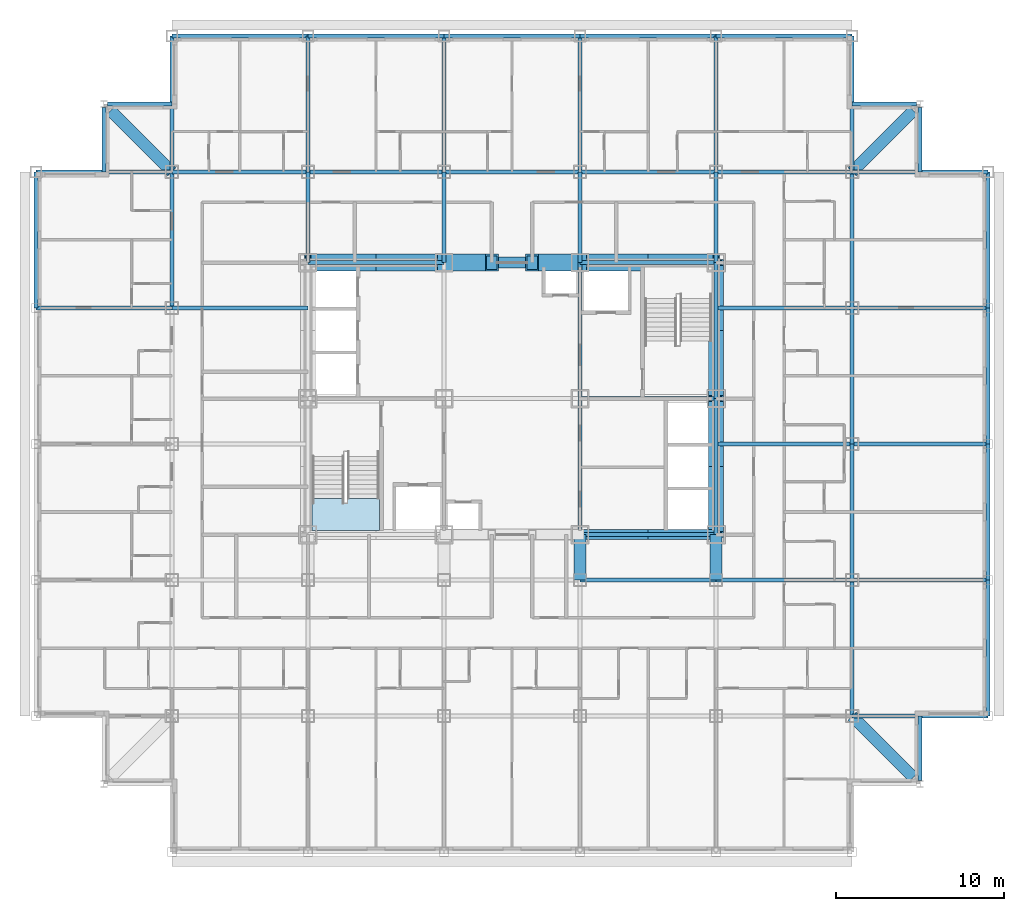
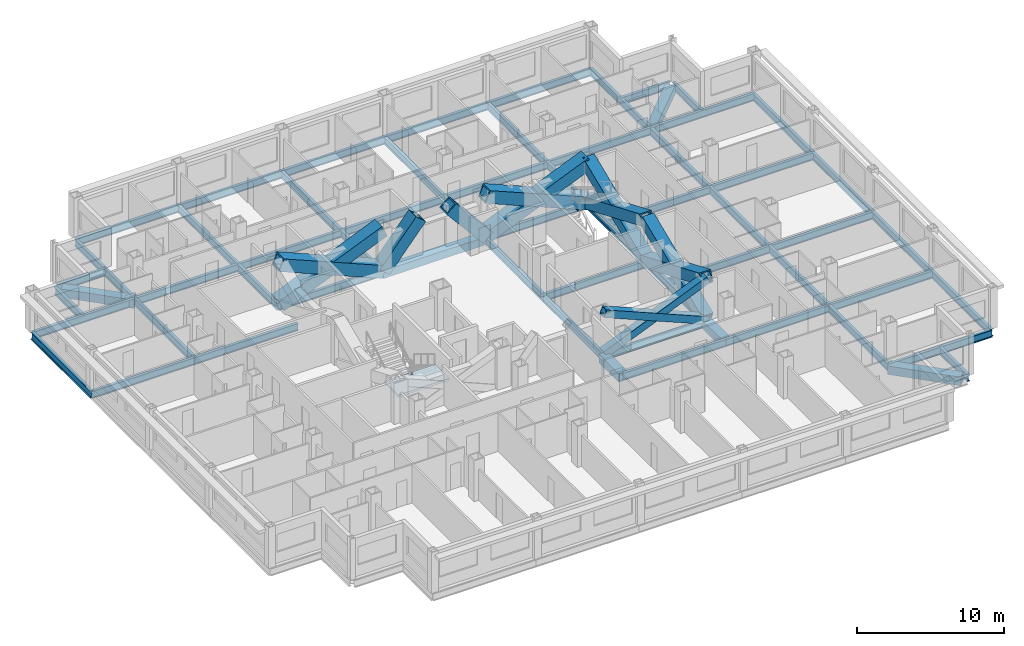
# One storey, part 2 of 13: 61 beams, 12 members, 1 slab, 1 element without a shape of its own.
"""IFC4 building model written with IfcOpenShell, lengths in metres."""

from ifc_helpers import new_model, si_unit, direction, frame, origin, origin_2d, place, context, subcontext, project, spatial, polyline, hollow_rectangle, i_section, outline, extrude, material, layer, layer_set, material_profile, profile_set, type_object, element, aggregate, save


model = new_model("IFC4")

# Units and contexts
model_context = context("Model", 3, precision=1e-05, world=origin(), true_north=direction((0.0, 1.0)))
body_context = subcontext(model_context, "Body", "Model", "MODEL_VIEW")
ifc_project = project(units=[si_unit("LENGTHUNIT", "METRE"), si_unit("AREAUNIT", "SQUARE_METRE"), si_unit("VOLUMEUNIT", "CUBIC_METRE"), si_unit("PLANEANGLEUNIT", "RADIAN"), si_unit("MASSUNIT", "GRAM", prefix="KILO")], contexts=[model_context])

# Site, building, storey
site_placement = place(None, origin())
site = spatial("IfcSite", under=ifc_project, at=site_placement, CompositionType="ELEMENT")
building_placement = place(site_placement, origin())
building = spatial("IfcBuilding", under=site, at=building_placement, Name="Kopane Lantern Tower", CompositionType="ELEMENT")
storey_placement = place(building_placement, frame((0.0, 0.0, 134.0)))
storey = spatial("IfcBuildingStorey", under=building, at=storey_placement, Name="L34", CompositionType="ELEMENT", Elevation=134.0)

# Members
ifc_material_1 = material(Name="Steel S355JR", Category="steel")
ifc_material_profile_1 = material_profile(ifc_material_1, hollow_rectangle(XDim=1.0, YDim=1.0, WallThickness=0.10009765625, at=origin_2d()), Name="BOX 1000x1000x100")
ifc_profile_set_1 = profile_set([ifc_material_profile_1], Name="Steel S355JR")
member_type_1 = type_object("IfcMemberType", Name="BRACE BOX 1000x1000x100", PredefinedType="BRACE", material=ifc_profile_set_1)
for number, where, z_axis, x_axis, name in (
    (1, (16.199951171875, 40.5, -0.2099609375), (0.922069000757, 0.0, 0.387025526088), (0.0, 1.0, 0.0), "Core brace L34"),
    (2, (24.300048828125, 40.5, -0.2099609375), (-0.922069000757, 0.0, 0.387025526088), (0.0, -1.0, 0.0), "Core brace L34"),
):
    element("IfcMember", number, at=place(storey_placement, frame(where, z_axis=z_axis, x_axis=x_axis)), inside=storey, type_object=member_type_1, Name=name, PredefinedType="BRACE", context=body_context, shape_type="SweptSolid", body=[
        extrude(hollow_rectangle(XDim=1.0, YDim=1.0, WallThickness=0.10009765625, at=origin_2d()), origin(), (0.0, 0.0, 1.0), 8.78466796875),
    ])
for number, where, z_axis, x_axis, name in (
    (3, (24.300048828125, 40.5, -0.2099609375), (0.642390257445, 0.0, 0.7663776857), (0.0, 1.0, 0.0), "Core brace L34"),
    (4, (32.39990234375, 40.5, -0.2099609375), (-0.642390257445, 0.0, 0.7663776857), (0.0, -1.0, 0.0), "Core brace L34"),
):
    element("IfcMember", number, at=place(storey_placement, frame(where, z_axis=z_axis, x_axis=x_axis)), inside=storey, type_object=member_type_1, Name=name, PredefinedType="BRACE", context=body_context, shape_type="SweptSolid", body=[
        extrude(hollow_rectangle(XDim=1.0, YDim=1.0, WallThickness=0.10009765625, at=origin_2d()), origin(), (0.0, 0.0, 1.0), 4.436279296875),
    ])
for number, where, z_axis, x_axis, name in (
    (5, (32.39990234375, 40.5, -0.2099609375), (0.922069000757, 0.0, 0.387025526088), (0.0, 1.0, 0.0), "Core brace L34"),
    (6, (40.5, 40.5, -0.2099609375), (-0.922069000757, 0.0, 0.387025526088), (0.0, -1.0, 0.0), "Core brace L34"),
):
    element("IfcMember", number, at=place(storey_placement, frame(where, z_axis=z_axis, x_axis=x_axis)), inside=storey, type_object=member_type_1, Name=name, PredefinedType="BRACE", context=body_context, shape_type="SweptSolid", body=[
        extrude(hollow_rectangle(XDim=1.0, YDim=1.0, WallThickness=0.10009765625, at=origin_2d()), origin(), (0.0, 0.0, 1.0), 8.78466796875),
    ])
ifc_material_2 = material(Name="Steel S355JR", Category="steel")
ifc_material_profile_2 = material_profile(ifc_material_2, hollow_rectangle(XDim=0.60009765625, YDim=0.60009765625, WallThickness=0.050048828125, at=origin_2d()), Name="BOX 600x600x50")
ifc_profile_set_2 = profile_set([ifc_material_profile_2], Name="Steel S355JR")
member_type_2 = type_object("IfcMemberType", Name="BRACE BOX 600x600x50", PredefinedType="BRACE", material=ifc_profile_set_2)
for number, where, z_axis, x_axis, name in (
    (7, (32.39990234375, 24.300048828125, -0.2099609375), (0.922069000757, 0.0, 0.387025526088), (0.0, 1.0, 0.0), "Core brace L34"),
    (8, (40.5, 24.300048828125, -0.2099609375), (-0.922069000757, 0.0, 0.387025526088), (0.0, -1.0, 0.0), "Core brace L34"),
):
    element("IfcMember", number, at=place(storey_placement, frame(where, z_axis=z_axis, x_axis=x_axis)), inside=storey, type_object=member_type_2, Name=name, PredefinedType="BRACE", context=body_context, shape_type="SweptSolid", body=[
        extrude(hollow_rectangle(XDim=0.60009765625, YDim=0.60009765625, WallThickness=0.050048828125, at=origin_2d()), origin(), (0.0, 0.0, 1.0), 8.78466796875),
    ])
ifc_material_3 = material(Name="Steel S355JR", Category="steel")
ifc_material_profile_3 = material_profile(ifc_material_3, hollow_rectangle(XDim=0.89990234375, YDim=0.89990234375, WallThickness=0.090087890625, at=origin_2d()), Name="BOX 900x900x90")
ifc_profile_set_3 = profile_set([ifc_material_profile_3], Name="Steel S355JR")
member_type_3 = type_object("IfcMemberType", Name="BRACE BOX 900x900x90", PredefinedType="BRACE", material=ifc_profile_set_3)
for number, where, z_axis, x_axis, name in (
    (9, (40.5, 24.300048828125, -0.2099609375), (0.0, 0.922064837731, 0.38703544414), (-1.0, 0.0, 0.0), "Core brace L34"),
    (10, (40.5, 32.39990234375, -0.2099609375), (0.0, -0.922064837731, 0.38703544414), (1.0, 0.0, 0.0), "Core brace L34"),
):
    element("IfcMember", number, at=place(storey_placement, frame(where, z_axis=z_axis, x_axis=x_axis)), inside=storey, type_object=member_type_3, Name=name, PredefinedType="BRACE", context=body_context, shape_type="SweptSolid", body=[
        extrude(hollow_rectangle(XDim=0.89990234375, YDim=0.89990234375, WallThickness=0.090087890625, at=origin_2d()), origin(), (0.0, 0.0, 1.0), 8.784423828125),
    ])
for number, where, z_axis, x_axis, name in (
    (11, (40.5, 32.39990234375, -0.2099609375), (0.0, 0.922069000757, 0.387025526088), (-1.0, 0.0, 0.0), "Core brace L34"),
    (12, (40.5, 40.5, -0.2099609375), (0.0, -0.922069000757, 0.387025526088), (1.0, 0.0, 0.0), "Core brace L34"),
):
    element("IfcMember", number, at=place(storey_placement, frame(where, z_axis=z_axis, x_axis=x_axis)), inside=storey, type_object=member_type_3, Name=name, PredefinedType="BRACE", context=body_context, shape_type="SweptSolid", body=[
        extrude(hollow_rectangle(XDim=0.89990234375, YDim=0.89990234375, WallThickness=0.090087890625, at=origin_2d()), origin(), (0.0, 0.0, 1.0), 8.78466796875),
    ])

# Beams
ifc_material_4 = material(Name="Steel S355JR", Category="steel")
ifc_material_profile_4 = material_profile(ifc_material_4, i_section(OverallWidth=0.22900390625, OverallDepth=0.6123046875, WebThickness=0.011962890625, FlangeThickness=0.01953125, FilletRadius=0.0126953125, at=origin_2d()), Name="UB 610x229x125")
ifc_profile_set_4 = profile_set([ifc_material_profile_4], Name="Steel S355JR")
beam_type_1 = type_object("IfcBeamType", Name="CORE BEAM UB 610x229x125", PredefinedType="BEAM", material=ifc_profile_set_4)
beam_1_placement = place(storey_placement, frame((32.39990234375, 24.300048828125, -0.51611328125), z_axis=(0.0, 1.0, 0.0), x_axis=(-1.0, 0.0, 0.0)))
element("IfcBeam", 13, at=beam_1_placement, inside=storey, type_object=beam_type_1, Name="Core Beam L34", PredefinedType="BEAM", context=body_context, shape_type="SweptSolid", body=[
    extrude(i_section(OverallWidth=0.22900390625, OverallDepth=0.6123046875, WebThickness=0.011962890625, FlangeThickness=0.01953125, FilletRadius=0.0126953125, at=origin_2d()), origin(), (0.0, 0.0, 1.0), 8.099853515625),
])
for number, where, z_axis, x_axis, name in (
    (14, (32.39990234375, 32.39990234375, -0.51611328125), (0.0, 1.0, 0.0), (-1.0, 0.0, 0.0), "Core Beam L34"),
    (15, (32.39990234375, 32.39990234375, -0.51611328125), (1.0, 0.0, 0.0), (0.0, 1.0, 0.0), "Core Beam L34"),
):
    element("IfcBeam", number, at=place(storey_placement, frame(where, z_axis=z_axis, x_axis=x_axis)), inside=storey, type_object=beam_type_1, Name=name, PredefinedType="BEAM", context=body_context, shape_type="SweptSolid", body=[
        extrude(i_section(OverallWidth=0.22900390625, OverallDepth=0.6123046875, WebThickness=0.011962890625, FlangeThickness=0.01953125, FilletRadius=0.0126953125, at=origin_2d()), origin(), (0.0, 0.0, 1.0), 8.10009765625),
    ])
ifc_material_5 = material(Name="Steel S355JR", Category="steel")
ifc_material_profile_5 = material_profile(ifc_material_5, hollow_rectangle(XDim=0.699951171875, YDim=0.699951171875, WallThickness=0.06005859375, at=origin_2d()), Name="BOX 700x700x60")
ifc_profile_set_5 = profile_set([ifc_material_profile_5], Name="Steel S355JR")
beam_type_2 = type_object("IfcBeamType", Name="CORNER TIE BEAM BOX 700x700x60", PredefinedType="BEAM", material=ifc_profile_set_5)
beam_2_placement = place(storey_placement, frame((4.447509765625, 49.552490234375, -0.56005859375), z_axis=(0.707106781187, -0.707106781187, 0.0), x_axis=(0.707106781187, 0.707106781187, 0.0)))
element("IfcBeam", 16, at=beam_2_placement, inside=storey, type_object=beam_type_2, Name="Corner Tie Beam L34", PredefinedType="BEAM", context=body_context, shape_type="SweptSolid", body=[
    extrude(hollow_rectangle(XDim=0.699951171875, YDim=0.699951171875, WallThickness=0.06005859375, at=origin_2d()), origin(), (0.0, 0.0, 1.0), 5.16552734375),
])
for number, where, z_axis, x_axis, name in (
    (17, (52.25244140625, 9.847412109375, -0.56005859375), (-0.707083148333, 0.70713041325, 0.0), (-0.70713041325, -0.707083148333, 0.0), "Corner Tie Beam L34"),
    (18, (52.25244140625, 49.552490234375, -0.56005859375), (-0.707083148333, -0.70713041325, 0.0), (0.70713041325, -0.707083148333, 0.0), "Corner Tie Beam L34"),
):
    element("IfcBeam", number, at=place(storey_placement, frame(where, z_axis=z_axis, x_axis=x_axis)), inside=storey, type_object=beam_type_2, Name=name, PredefinedType="BEAM", context=body_context, shape_type="SweptSolid", body=[
        extrude(hollow_rectangle(XDim=0.699951171875, YDim=0.699951171875, WallThickness=0.06005859375, at=origin_2d()), origin(), (0.0, 0.0, 1.0), 5.165283203125),
    ])
ifc_material_6 = material(Name="Steel S355JR", Category="steel")
ifc_material_profile_6 = material_profile(ifc_material_6, i_section(OverallWidth=0.22900390625, OverallDepth=0.6123046875, WebThickness=0.011962890625, FlangeThickness=0.01953125, FilletRadius=0.0126953125, at=origin_2d()), Name="UB 610x229x125")
ifc_profile_set_6 = profile_set([ifc_material_profile_6], Name="Steel S355JR")
beam_type_3 = type_object("IfcBeamType", Name="EDGE BEAM UB 610x229x125", PredefinedType="BEAM", material=ifc_profile_set_6)
for number, where, z_axis, x_axis, name in (
    (19, (4.050048828125, 49.74658203125, -0.51611328125), (0.0, -1.0, 0.0), (1.0, 0.0, 0.0), "Edge Beam L34"),
    (20, (4.25341796875, 49.949951171875, -0.51611328125), (1.0, 0.0, 0.0), (0.0, 1.0, 0.0), "Edge Beam L34"),
):
    element("IfcBeam", number, at=place(storey_placement, frame(where, z_axis=z_axis, x_axis=x_axis)), inside=storey, type_object=beam_type_3, Name=name, PredefinedType="BEAM", context=body_context, shape_type="SweptSolid", body=[
        extrude(i_section(OverallWidth=0.22900390625, OverallDepth=0.6123046875, WebThickness=0.011962890625, FlangeThickness=0.01953125, FilletRadius=0.0126953125, at=origin_2d()), origin(), (0.0, 0.0, 1.0), 3.8466796875),
    ])
for number, where, z_axis, x_axis, name in (
    (21, (52.446533203125, 49.949951171875, -0.51611328125), (-1.0, 0.0, 0.0), (0.0, -1.0, 0.0), "Edge Beam L34"),
    (22, (52.64990234375, 9.653564453125, -0.51611328125), (0.0, 1.0, 0.0), (-1.0, 0.0, 0.0), "Edge Beam L34"),
):
    element("IfcBeam", number, at=place(storey_placement, frame(where, z_axis=z_axis, x_axis=x_axis)), inside=storey, type_object=beam_type_3, Name=name, PredefinedType="BEAM", context=body_context, shape_type="SweptSolid", body=[
        extrude(i_section(OverallWidth=0.22900390625, OverallDepth=0.6123046875, WebThickness=0.011962890625, FlangeThickness=0.01953125, FilletRadius=0.0126953125, at=origin_2d()), origin(), (0.0, 0.0, 1.0), 3.846435546875),
    ])
beam_3_placement = place(storey_placement, frame((52.64990234375, 49.74658203125, -0.51611328125), z_axis=(0.0, -1.0, 0.0), x_axis=(1.0, 0.0, 0.0)))
element("IfcBeam", 23, at=beam_3_placement, inside=storey, type_object=beam_type_3, Name="Edge Beam L34", PredefinedType="BEAM", context=body_context, shape_type="SweptSolid", body=[
    extrude(i_section(OverallWidth=0.22900390625, OverallDepth=0.6123046875, WebThickness=0.011962890625, FlangeThickness=0.01953125, FilletRadius=0.0126953125, at=origin_2d()), origin(), (0.0, 0.0, 1.0), 3.8466796875),
])
ifc_material_7 = material(Name="Steel S355JR", Category="steel")
ifc_material_profile_7 = material_profile(ifc_material_7, hollow_rectangle(XDim=0.699951171875, YDim=0.699951171875, WallThickness=0.06005859375, at=origin_2d()), Name="BOX 700x700x60")
ifc_profile_set_7 = profile_set([ifc_material_profile_7], Name="Steel S355JR")
beam_type_4 = type_object("IfcBeamType", Name="GIRDER BOX 700x700x60", PredefinedType="BEAM", material=ifc_profile_set_7)
for number, where, z_axis, x_axis, name in (
    (24, (32.39990234375, 21.60009765625, -0.56005859375), (0.0, 1.0, 0.0), (-1.0, 0.0, 0.0), "Girder L34"),
    (25, (40.5, 21.60009765625, -0.56005859375), (0.0, 1.0, 0.0), (-1.0, 0.0, 0.0), "Girder L34"),
):
    element("IfcBeam", number, at=place(storey_placement, frame(where, z_axis=z_axis, x_axis=x_axis)), inside=storey, type_object=beam_type_4, Name=name, PredefinedType="BEAM", context=body_context, shape_type="SweptSolid", body=[
        extrude(hollow_rectangle(XDim=0.699951171875, YDim=0.699951171875, WallThickness=0.06005859375, at=origin_2d()), origin(), (0.0, 0.0, 1.0), 2.699951171875),
    ])
ifc_material_8 = material(Name="Steel S355JR", Category="steel")
ifc_material_profile_8 = material_profile(ifc_material_8, i_section(OverallWidth=0.22900390625, OverallDepth=0.6123046875, WebThickness=0.011962890625, FlangeThickness=0.01953125, FilletRadius=0.0126953125, at=origin_2d()), Name="UB 610x229x125")
ifc_profile_set_8 = profile_set([ifc_material_profile_8], Name="Steel S355JR")
beam_type_5 = type_object("IfcBeamType", Name="GIRDER UB 610x229x125", PredefinedType="BEAM", material=ifc_profile_set_8)
beam_4_placement = place(storey_placement, frame((0.0, 37.800048828125, -0.51611328125), z_axis=(0.0, 1.0, 0.0), x_axis=(-1.0, 0.0, 0.0)))
element("IfcBeam", 26, at=beam_4_placement, inside=storey, type_object=beam_type_5, Name="Girder L34", PredefinedType="BEAM", context=body_context, shape_type="SweptSolid", body=[
    extrude(i_section(OverallWidth=0.22900390625, OverallDepth=0.6123046875, WebThickness=0.011962890625, FlangeThickness=0.01953125, FilletRadius=0.0126953125, at=origin_2d()), origin(), (0.0, 0.0, 1.0), 8.099853515625),
])
for number, where, z_axis, x_axis, name in (
    (27, (0.0, 37.800048828125, -0.51611328125), (1.0, 0.0, 0.0), (0.0, 1.0, 0.0), "Girder L34"),
    (28, (0.0, 45.89990234375, -0.51611328125), (1.0, 0.0, 0.0), (0.0, 1.0, 0.0), "Girder L34"),
):
    element("IfcBeam", number, at=place(storey_placement, frame(where, z_axis=z_axis, x_axis=x_axis)), inside=storey, type_object=beam_type_5, Name=name, PredefinedType="BEAM", context=body_context, shape_type="SweptSolid", body=[
        extrude(i_section(OverallWidth=0.22900390625, OverallDepth=0.6123046875, WebThickness=0.011962890625, FlangeThickness=0.01953125, FilletRadius=0.0126953125, at=origin_2d()), origin(), (0.0, 0.0, 1.0), 8.10009765625),
    ])
for number, where, z_axis, x_axis, name in (
    (29, (8.10009765625, 37.800048828125, -0.51611328125), (0.0, 1.0, 0.0), (-1.0, 0.0, 0.0), "Girder L34"),
    (30, (8.10009765625, 37.800048828125, -0.51611328125), (1.0, 0.0, 0.0), (0.0, 1.0, 0.0), "Girder L34"),
):
    element("IfcBeam", number, at=place(storey_placement, frame(where, z_axis=z_axis, x_axis=x_axis)), inside=storey, type_object=beam_type_5, Name=name, PredefinedType="BEAM", context=body_context, shape_type="SweptSolid", body=[
        extrude(i_section(OverallWidth=0.22900390625, OverallDepth=0.6123046875, WebThickness=0.011962890625, FlangeThickness=0.01953125, FilletRadius=0.0126953125, at=origin_2d()), origin(), (0.0, 0.0, 1.0), 8.099853515625),
    ])
beam_5_placement = place(storey_placement, frame((8.10009765625, 45.89990234375, -0.51611328125), z_axis=(0.0, 1.0, 0.0), x_axis=(-1.0, 0.0, 0.0)))
element("IfcBeam", 31, at=beam_5_placement, inside=storey, type_object=beam_type_5, Name="Girder L34", PredefinedType="BEAM", context=body_context, shape_type="SweptSolid", body=[
    extrude(i_section(OverallWidth=0.22900390625, OverallDepth=0.6123046875, WebThickness=0.011962890625, FlangeThickness=0.01953125, FilletRadius=0.0126953125, at=origin_2d()), origin(), (0.0, 0.0, 1.0), 8.10009765625),
])
for number, where, z_axis, x_axis, name in (
    (32, (8.10009765625, 45.89990234375, -0.51611328125), (1.0, 0.0, 0.0), (0.0, 1.0, 0.0), "Girder L34"),
    (33, (8.10009765625, 54.0, -0.51611328125), (1.0, 0.0, 0.0), (0.0, 1.0, 0.0), "Girder L34"),
):
    element("IfcBeam", number, at=place(storey_placement, frame(where, z_axis=z_axis, x_axis=x_axis)), inside=storey, type_object=beam_type_5, Name=name, PredefinedType="BEAM", context=body_context, shape_type="SweptSolid", body=[
        extrude(i_section(OverallWidth=0.22900390625, OverallDepth=0.6123046875, WebThickness=0.011962890625, FlangeThickness=0.01953125, FilletRadius=0.0126953125, at=origin_2d()), origin(), (0.0, 0.0, 1.0), 8.099853515625),
    ])
beam_6_placement = place(storey_placement, frame((16.199951171875, 40.5, -0.51611328125), z_axis=(0.0, 1.0, 0.0), x_axis=(-1.0, 0.0, 0.0)))
element("IfcBeam", 34, at=beam_6_placement, inside=storey, type_object=beam_type_5, Name="Girder L34", PredefinedType="BEAM", context=body_context, shape_type="SweptSolid", body=[
    extrude(i_section(OverallWidth=0.22900390625, OverallDepth=0.6123046875, WebThickness=0.011962890625, FlangeThickness=0.01953125, FilletRadius=0.0126953125, at=origin_2d()), origin(), (0.0, 0.0, 1.0), 5.39990234375),
])
for number, where, z_axis, x_axis, name in (
    (35, (16.199951171875, 40.5, -0.51611328125), (1.0, 0.0, 0.0), (0.0, 1.0, 0.0), "Girder L34"),
    (36, (16.199951171875, 45.89990234375, -0.51611328125), (0.0, 1.0, 0.0), (-1.0, 0.0, 0.0), "Girder L34"),
    (37, (16.199951171875, 45.89990234375, -0.51611328125), (1.0, 0.0, 0.0), (0.0, 1.0, 0.0), "Girder L34"),
    (38, (16.199951171875, 54.0, -0.51611328125), (1.0, 0.0, 0.0), (0.0, 1.0, 0.0), "Girder L34"),
):
    element("IfcBeam", number, at=place(storey_placement, frame(where, z_axis=z_axis, x_axis=x_axis)), inside=storey, type_object=beam_type_5, Name=name, PredefinedType="BEAM", context=body_context, shape_type="SweptSolid", body=[
        extrude(i_section(OverallWidth=0.22900390625, OverallDepth=0.6123046875, WebThickness=0.011962890625, FlangeThickness=0.01953125, FilletRadius=0.0126953125, at=origin_2d()), origin(), (0.0, 0.0, 1.0), 8.10009765625),
    ])
beam_7_placement = place(storey_placement, frame((24.300048828125, 40.5, -0.51611328125), z_axis=(0.0, 1.0, 0.0), x_axis=(-1.0, 0.0, 0.0)))
element("IfcBeam", 39, at=beam_7_placement, inside=storey, type_object=beam_type_5, Name="Girder L34", PredefinedType="BEAM", context=body_context, shape_type="SweptSolid", body=[
    extrude(i_section(OverallWidth=0.22900390625, OverallDepth=0.6123046875, WebThickness=0.011962890625, FlangeThickness=0.01953125, FilletRadius=0.0126953125, at=origin_2d()), origin(), (0.0, 0.0, 1.0), 5.39990234375),
])
beam_8_placement = place(storey_placement, frame((24.300048828125, 45.89990234375, -0.51611328125), z_axis=(0.0, 1.0, 0.0), x_axis=(-1.0, 0.0, 0.0)))
element("IfcBeam", 40, at=beam_8_placement, inside=storey, type_object=beam_type_5, Name="Girder L34", PredefinedType="BEAM", context=body_context, shape_type="SweptSolid", body=[
    extrude(i_section(OverallWidth=0.22900390625, OverallDepth=0.6123046875, WebThickness=0.011962890625, FlangeThickness=0.01953125, FilletRadius=0.0126953125, at=origin_2d()), origin(), (0.0, 0.0, 1.0), 8.10009765625),
])
for number, where, z_axis, x_axis, name in (
    (41, (24.300048828125, 45.89990234375, -0.51611328125), (1.0, 0.0, 0.0), (0.0, 1.0, 0.0), "Girder L34"),
    (42, (24.300048828125, 54.0, -0.51611328125), (1.0, 0.0, 0.0), (0.0, 1.0, 0.0), "Girder L34"),
):
    element("IfcBeam", number, at=place(storey_placement, frame(where, z_axis=z_axis, x_axis=x_axis)), inside=storey, type_object=beam_type_5, Name=name, PredefinedType="BEAM", context=body_context, shape_type="SweptSolid", body=[
        extrude(i_section(OverallWidth=0.22900390625, OverallDepth=0.6123046875, WebThickness=0.011962890625, FlangeThickness=0.01953125, FilletRadius=0.0126953125, at=origin_2d()), origin(), (0.0, 0.0, 1.0), 8.099853515625),
    ])
for number, where, z_axis, x_axis, name in (
    (43, (32.39990234375, 21.60009765625, -0.51611328125), (1.0, 0.0, 0.0), (0.0, 1.0, 0.0), "Girder L34"),
    (44, (32.39990234375, 24.300048828125, -0.51611328125), (1.0, 0.0, 0.0), (0.0, 1.0, 0.0), "Girder L34"),
):
    element("IfcBeam", number, at=place(storey_placement, frame(where, z_axis=z_axis, x_axis=x_axis)), inside=storey, type_object=beam_type_5, Name=name, PredefinedType="BEAM", context=body_context, shape_type="SweptSolid", body=[
        extrude(i_section(OverallWidth=0.22900390625, OverallDepth=0.6123046875, WebThickness=0.011962890625, FlangeThickness=0.01953125, FilletRadius=0.0126953125, at=origin_2d()), origin(), (0.0, 0.0, 1.0), 8.10009765625),
    ])
beam_9_placement = place(storey_placement, frame((32.39990234375, 40.5, -0.51611328125), z_axis=(0.0, 1.0, 0.0), x_axis=(-1.0, 0.0, 0.0)))
element("IfcBeam", 45, at=beam_9_placement, inside=storey, type_object=beam_type_5, Name="Girder L34", PredefinedType="BEAM", context=body_context, shape_type="SweptSolid", body=[
    extrude(i_section(OverallWidth=0.22900390625, OverallDepth=0.6123046875, WebThickness=0.011962890625, FlangeThickness=0.01953125, FilletRadius=0.0126953125, at=origin_2d()), origin(), (0.0, 0.0, 1.0), 5.39990234375),
])
for number, where, z_axis, x_axis, name in (
    (46, (32.39990234375, 40.5, -0.51611328125), (1.0, 0.0, 0.0), (0.0, 1.0, 0.0), "Girder L34"),
    (47, (32.39990234375, 45.89990234375, -0.51611328125), (0.0, 1.0, 0.0), (-1.0, 0.0, 0.0), "Girder L34"),
    (48, (32.39990234375, 45.89990234375, -0.51611328125), (1.0, 0.0, 0.0), (0.0, 1.0, 0.0), "Girder L34"),
    (49, (32.39990234375, 54.0, -0.51611328125), (1.0, 0.0, 0.0), (0.0, 1.0, 0.0), "Girder L34"),
    (50, (40.5, 21.60009765625, -0.51611328125), (1.0, 0.0, 0.0), (0.0, 1.0, 0.0), "Girder L34"),
):
    element("IfcBeam", number, at=place(storey_placement, frame(where, z_axis=z_axis, x_axis=x_axis)), inside=storey, type_object=beam_type_5, Name=name, PredefinedType="BEAM", context=body_context, shape_type="SweptSolid", body=[
        extrude(i_section(OverallWidth=0.22900390625, OverallDepth=0.6123046875, WebThickness=0.011962890625, FlangeThickness=0.01953125, FilletRadius=0.0126953125, at=origin_2d()), origin(), (0.0, 0.0, 1.0), 8.10009765625),
    ])
beam_10_placement = place(storey_placement, frame((40.5, 24.300048828125, -0.51611328125), z_axis=(0.0, 1.0, 0.0), x_axis=(-1.0, 0.0, 0.0)))
element("IfcBeam", 51, at=beam_10_placement, inside=storey, type_object=beam_type_5, Name="Girder L34", PredefinedType="BEAM", context=body_context, shape_type="SweptSolid", body=[
    extrude(i_section(OverallWidth=0.22900390625, OverallDepth=0.6123046875, WebThickness=0.011962890625, FlangeThickness=0.01953125, FilletRadius=0.0126953125, at=origin_2d()), origin(), (0.0, 0.0, 1.0), 8.099853515625),
])
for number, where, z_axis, x_axis, name in (
    (52, (40.5, 29.699951171875, -0.51611328125), (1.0, 0.0, 0.0), (0.0, 1.0, 0.0), "Girder L34"),
    (53, (40.5, 32.39990234375, -0.51611328125), (0.0, 1.0, 0.0), (-1.0, 0.0, 0.0), "Girder L34"),
    (54, (40.5, 37.800048828125, -0.51611328125), (1.0, 0.0, 0.0), (0.0, 1.0, 0.0), "Girder L34"),
):
    element("IfcBeam", number, at=place(storey_placement, frame(where, z_axis=z_axis, x_axis=x_axis)), inside=storey, type_object=beam_type_5, Name=name, PredefinedType="BEAM", context=body_context, shape_type="SweptSolid", body=[
        extrude(i_section(OverallWidth=0.22900390625, OverallDepth=0.6123046875, WebThickness=0.011962890625, FlangeThickness=0.01953125, FilletRadius=0.0126953125, at=origin_2d()), origin(), (0.0, 0.0, 1.0), 8.10009765625),
    ])
beam_11_placement = place(storey_placement, frame((40.5, 40.5, -0.51611328125), z_axis=(0.0, 1.0, 0.0), x_axis=(-1.0, 0.0, 0.0)))
element("IfcBeam", 55, at=beam_11_placement, inside=storey, type_object=beam_type_5, Name="Girder L34", PredefinedType="BEAM", context=body_context, shape_type="SweptSolid", body=[
    extrude(i_section(OverallWidth=0.22900390625, OverallDepth=0.6123046875, WebThickness=0.011962890625, FlangeThickness=0.01953125, FilletRadius=0.0126953125, at=origin_2d()), origin(), (0.0, 0.0, 1.0), 5.39990234375),
])
for number, where, z_axis, x_axis, name in (
    (56, (40.5, 45.89990234375, -0.51611328125), (0.0, 1.0, 0.0), (-1.0, 0.0, 0.0), "Girder L34"),
    (57, (40.5, 45.89990234375, -0.51611328125), (1.0, 0.0, 0.0), (0.0, 1.0, 0.0), "Girder L34"),
    (58, (40.5, 54.0, -0.51611328125), (1.0, 0.0, 0.0), (0.0, 1.0, 0.0), "Girder L34"),
    (59, (48.60009765625, 13.5, -0.51611328125), (0.0, 1.0, 0.0), (-1.0, 0.0, 0.0), "Girder L34"),
):
    element("IfcBeam", number, at=place(storey_placement, frame(where, z_axis=z_axis, x_axis=x_axis)), inside=storey, type_object=beam_type_5, Name=name, PredefinedType="BEAM", context=body_context, shape_type="SweptSolid", body=[
        extrude(i_section(OverallWidth=0.22900390625, OverallDepth=0.6123046875, WebThickness=0.011962890625, FlangeThickness=0.01953125, FilletRadius=0.0126953125, at=origin_2d()), origin(), (0.0, 0.0, 1.0), 8.10009765625),
    ])
for number, where, z_axis, x_axis, name in (
    (60, (48.60009765625, 13.5, -0.51611328125), (1.0, 0.0, 0.0), (0.0, 1.0, 0.0), "Girder L34"),
    (61, (48.60009765625, 21.60009765625, -0.51611328125), (0.0, 1.0, 0.0), (-1.0, 0.0, 0.0), "Girder L34"),
    (62, (48.60009765625, 21.60009765625, -0.51611328125), (1.0, 0.0, 0.0), (0.0, 1.0, 0.0), "Girder L34"),
):
    element("IfcBeam", number, at=place(storey_placement, frame(where, z_axis=z_axis, x_axis=x_axis)), inside=storey, type_object=beam_type_5, Name=name, PredefinedType="BEAM", context=body_context, shape_type="SweptSolid", body=[
        extrude(i_section(OverallWidth=0.22900390625, OverallDepth=0.6123046875, WebThickness=0.011962890625, FlangeThickness=0.01953125, FilletRadius=0.0126953125, at=origin_2d()), origin(), (0.0, 0.0, 1.0), 8.099853515625),
    ])
beam_12_placement = place(storey_placement, frame((48.60009765625, 29.699951171875, -0.51611328125), z_axis=(0.0, 1.0, 0.0), x_axis=(-1.0, 0.0, 0.0)))
element("IfcBeam", 63, at=beam_12_placement, inside=storey, type_object=beam_type_5, Name="Girder L34", PredefinedType="BEAM", context=body_context, shape_type="SweptSolid", body=[
    extrude(i_section(OverallWidth=0.22900390625, OverallDepth=0.6123046875, WebThickness=0.011962890625, FlangeThickness=0.01953125, FilletRadius=0.0126953125, at=origin_2d()), origin(), (0.0, 0.0, 1.0), 8.10009765625),
])
for number, where, z_axis, x_axis, name in (
    (64, (48.60009765625, 29.699951171875, -0.51611328125), (1.0, 0.0, 0.0), (0.0, 1.0, 0.0), "Girder L34"),
    (65, (48.60009765625, 37.800048828125, -0.51611328125), (0.0, 1.0, 0.0), (-1.0, 0.0, 0.0), "Girder L34"),
    (66, (48.60009765625, 37.800048828125, -0.51611328125), (1.0, 0.0, 0.0), (0.0, 1.0, 0.0), "Girder L34"),
):
    element("IfcBeam", number, at=place(storey_placement, frame(where, z_axis=z_axis, x_axis=x_axis)), inside=storey, type_object=beam_type_5, Name=name, PredefinedType="BEAM", context=body_context, shape_type="SweptSolid", body=[
        extrude(i_section(OverallWidth=0.22900390625, OverallDepth=0.6123046875, WebThickness=0.011962890625, FlangeThickness=0.01953125, FilletRadius=0.0126953125, at=origin_2d()), origin(), (0.0, 0.0, 1.0), 8.099853515625),
    ])
beam_13_placement = place(storey_placement, frame((48.60009765625, 45.89990234375, -0.51611328125), z_axis=(0.0, 1.0, 0.0), x_axis=(-1.0, 0.0, 0.0)))
element("IfcBeam", 67, at=beam_13_placement, inside=storey, type_object=beam_type_5, Name="Girder L34", PredefinedType="BEAM", context=body_context, shape_type="SweptSolid", body=[
    extrude(i_section(OverallWidth=0.22900390625, OverallDepth=0.6123046875, WebThickness=0.011962890625, FlangeThickness=0.01953125, FilletRadius=0.0126953125, at=origin_2d()), origin(), (0.0, 0.0, 1.0), 8.10009765625),
])
beam_14_placement = place(storey_placement, frame((48.60009765625, 45.89990234375, -0.51611328125), z_axis=(1.0, 0.0, 0.0), x_axis=(0.0, 1.0, 0.0)))
element("IfcBeam", 68, at=beam_14_placement, inside=storey, type_object=beam_type_5, Name="Girder L34", PredefinedType="BEAM", context=body_context, shape_type="SweptSolid", body=[
    extrude(i_section(OverallWidth=0.22900390625, OverallDepth=0.6123046875, WebThickness=0.011962890625, FlangeThickness=0.01953125, FilletRadius=0.0126953125, at=origin_2d()), origin(), (0.0, 0.0, 1.0), 8.099853515625),
])
beam_15_placement = place(storey_placement, frame((56.699951171875, 13.5, -0.51611328125), z_axis=(0.0, 1.0, 0.0), x_axis=(-1.0, 0.0, 0.0)))
element("IfcBeam", 69, at=beam_15_placement, inside=storey, type_object=beam_type_5, Name="Girder L34", PredefinedType="BEAM", context=body_context, shape_type="SweptSolid", body=[
    extrude(i_section(OverallWidth=0.22900390625, OverallDepth=0.6123046875, WebThickness=0.011962890625, FlangeThickness=0.01953125, FilletRadius=0.0126953125, at=origin_2d()), origin(), (0.0, 0.0, 1.0), 8.10009765625),
])
beam_16_placement = place(storey_placement, frame((56.699951171875, 21.60009765625, -0.51611328125), z_axis=(0.0, 1.0, 0.0), x_axis=(-1.0, 0.0, 0.0)))
element("IfcBeam", 70, at=beam_16_placement, inside=storey, type_object=beam_type_5, Name="Girder L34", PredefinedType="BEAM", context=body_context, shape_type="SweptSolid", body=[
    extrude(i_section(OverallWidth=0.22900390625, OverallDepth=0.6123046875, WebThickness=0.011962890625, FlangeThickness=0.01953125, FilletRadius=0.0126953125, at=origin_2d()), origin(), (0.0, 0.0, 1.0), 8.099853515625),
])
beam_17_placement = place(storey_placement, frame((56.699951171875, 29.699951171875, -0.51611328125), z_axis=(0.0, 1.0, 0.0), x_axis=(-1.0, 0.0, 0.0)))
element("IfcBeam", 71, at=beam_17_placement, inside=storey, type_object=beam_type_5, Name="Girder L34", PredefinedType="BEAM", context=body_context, shape_type="SweptSolid", body=[
    extrude(i_section(OverallWidth=0.22900390625, OverallDepth=0.6123046875, WebThickness=0.011962890625, FlangeThickness=0.01953125, FilletRadius=0.0126953125, at=origin_2d()), origin(), (0.0, 0.0, 1.0), 8.10009765625),
])
beam_18_placement = place(storey_placement, frame((56.699951171875, 37.800048828125, -0.51611328125), z_axis=(0.0, 1.0, 0.0), x_axis=(-1.0, 0.0, 0.0)))
element("IfcBeam", 72, at=beam_18_placement, inside=storey, type_object=beam_type_5, Name="Girder L34", PredefinedType="BEAM", context=body_context, shape_type="SweptSolid", body=[
    extrude(i_section(OverallWidth=0.22900390625, OverallDepth=0.6123046875, WebThickness=0.011962890625, FlangeThickness=0.01953125, FilletRadius=0.0126953125, at=origin_2d()), origin(), (0.0, 0.0, 1.0), 8.099853515625),
])
ifc_material_9 = material(Name="Steel S355JR", Category="steel")
ifc_material_profile_9 = material_profile(ifc_material_9, hollow_rectangle(XDim=0.64990234375, YDim=0.64990234375, WallThickness=0.070068359375, at=origin_2d()), Name="BOX 650x650x70")
ifc_profile_set_9 = profile_set([ifc_material_profile_9], Name="Steel S355JR")
beam_type_6 = type_object("IfcBeamType", Name="LINK BEAM BOX 650x650x70", PredefinedType="BEAM", material=ifc_profile_set_9)
beam_19_placement = place(storey_placement, frame((24.300048828125, 40.5, -0.534912109375), z_axis=(1.0, 0.0, 0.0), x_axis=(0.0, 1.0, 0.0)))
element("IfcBeam", 73, at=beam_19_placement, inside=storey, type_object=beam_type_6, Name="Link Beam L34", PredefinedType="BEAM", context=body_context, shape_type="SweptSolid", body=[
    extrude(hollow_rectangle(XDim=0.64990234375, YDim=0.64990234375, WallThickness=0.070068359375, at=origin_2d()), origin(), (0.0, 0.0, 1.0), 8.099853515625),
])

# Stair, slab
ifc_material_10 = material(Name="Steel S355JR", Category="steel")
stair_type = type_object("IfcStairType", Name="EXIT STAIR 1900 HALF TURN", PredefinedType="HALF_TURN_STAIR", material=ifc_material_10)
stair_placement = place(storey_placement, origin())
stair = element("IfcStair", 74, at=stair_placement, inside=storey, type_object=stair_type, Name="Exit stair ST1 L34", PredefinedType="HALF_TURN_STAIR")
ifc_material_11 = material(Name="Concrete C40/50", Category="concrete")
ifc_layer = layer(ifc_material_11, 0.199951171875)
ifc_layer_set = layer_set([ifc_layer], Name="STAIR LANDING 200")
slab_type = type_object("IfcSlabType", Name="STAIR LANDING 200", PredefinedType="LANDING", material=ifc_layer_set)
slab_placement = place(storey_placement, frame((0.0, 0.0, 1.5)))
slab = element("IfcSlab", 75, at=slab_placement, type_object=slab_type, Name="ST1 landing 2", PredefinedType="LANDING", context=body_context, shape_type="SweptSolid", body=[
    extrude(outline(polyline([(20.449951171875, 26.449951171875), (18.550048828125, 26.449951171875), (18.550048828125, 26.169921875), (18.35009765625, 26.169921875), (18.35009765625, 26.449951171875), (16.449951171875, 26.449951171875), (16.449951171875, 24.550048828125), (20.449951171875, 24.550048828125), (20.449951171875, 26.449951171875)])), origin(), (0.0, 0.0, 1.0), 0.199951171875),
])
aggregate(stair, [slab])

save(model, "model.ifc")
